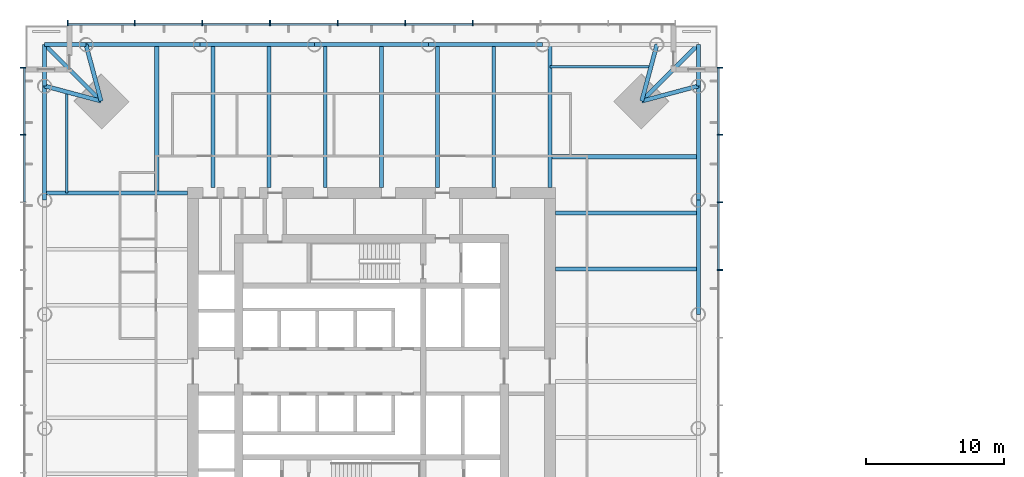
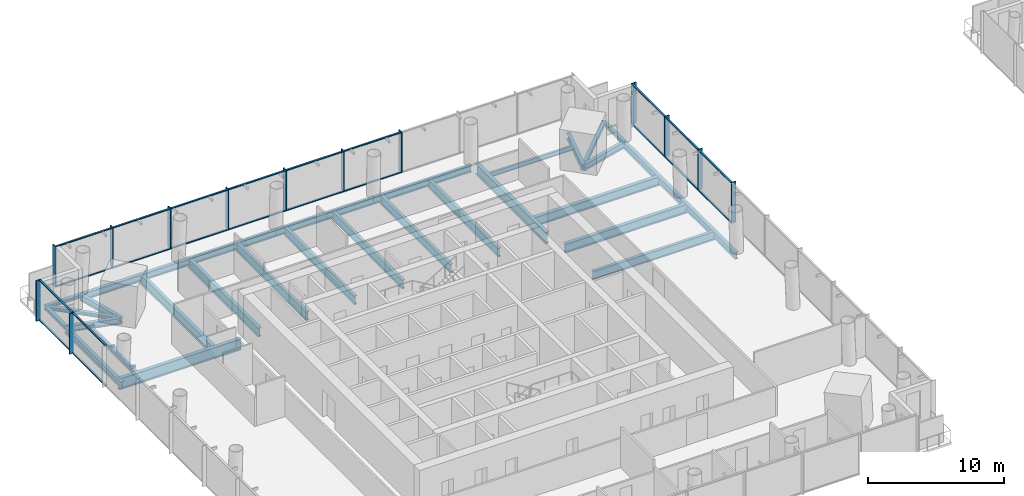
# One storey, part 4 of 21: 35 members, 30 beams, 3 elements without a shape of their own.
"""IFC4 building model written with IfcOpenShell, lengths in metres."""

from ifc_helpers import new_model, si_unit, direction, frame, origin, origin_2d, place, context, subcontext, project, spatial, rectangle, i_section, extrude, material, material_profile, profile_set, type_object, element, aggregate, save


model = new_model("IFC4")

# Units and contexts
model_context = context("Model", 3, precision=1e-05, world=origin(), true_north=direction((0.0, 1.0)))
body_context = subcontext(model_context, "Body", "Model", "MODEL_VIEW")
ifc_project = project(units=[si_unit("LENGTHUNIT", "METRE"), si_unit("AREAUNIT", "SQUARE_METRE"), si_unit("VOLUMEUNIT", "CUBIC_METRE"), si_unit("PLANEANGLEUNIT", "RADIAN"), si_unit("MASSUNIT", "GRAM", prefix="KILO")], contexts=[model_context])

# Site, building, storey
site_placement = place(None, origin())
site = spatial("IfcSite", under=ifc_project, at=site_placement, CompositionType="ELEMENT")
building_placement = place(site_placement, origin())
building = spatial("IfcBuilding", under=site, at=building_placement, Name="Ostroluk Exchange", CompositionType="ELEMENT")
storey_placement = place(building_placement, frame((0.0, 0.0, 32.39990234375)))
storey = spatial("IfcBuildingStorey", under=building, at=storey_placement, Name="L07", CompositionType="ELEMENT", Elevation=32.39990234375)

# Beams
ifc_material_1 = material(Name="Steel S355", Category="steel")
ifc_material_profile_1 = material_profile(ifc_material_1, i_section(OverallWidth=0.300048828125, OverallDepth=0.300048828125, WebThickness=0.010986328125, FlangeThickness=0.01904296875, FilletRadius=0.027099609375, at=origin_2d()), Name="HEB 300")
ifc_profile_set_1 = profile_set([ifc_material_profile_1], Name="Steel S355")
beam_type_1 = type_object("IfcBeamType", Name="Balcony beam HEB 300", PredefinedType="BEAM", material=ifc_profile_set_1)
beam_1_placement = place(storey_placement, frame((68.6357421875, 66.6357421875, -0.329833984375), z_axis=(0.0, 1.0, 0.0), x_axis=(-1.0, 0.0, 0.0)))
element("IfcBeam", 1, at=beam_1_placement, inside=storey, type_object=beam_type_1, Name="T1 east balcony beam a", PredefinedType="BEAM", context=body_context, shape_type="SweptSolid", body=[
    extrude(i_section(OverallWidth=0.300048828125, OverallDepth=0.300048828125, WebThickness=0.010986328125, FlangeThickness=0.01904296875, FilletRadius=0.027099609375, at=origin_2d()), origin(), (0.0, 0.0, 1.0), 3.0),
])
beam_2_placement = place(storey_placement, frame((64.53564453125, 65.53564453125, -0.329833984375), z_axis=(0.707106781187, 0.707106781187, 0.0), x_axis=(-0.707106781187, 0.707106781187, 0.0)))
element("IfcBeam", 2, at=beam_2_placement, inside=storey, type_object=beam_type_1, Name="T1 east balcony beam c", PredefinedType="BEAM", context=body_context, shape_type="SweptSolid", body=[
    extrude(i_section(OverallWidth=0.300048828125, OverallDepth=0.300048828125, WebThickness=0.010986328125, FlangeThickness=0.01904296875, FilletRadius=0.027099609375, at=origin_2d()), origin(), (0.0, 0.0, 1.0), 5.79833984375),
])
for number, where, z_axis, x_axis, name in (
    (3, (24.3642578125, 69.6357421875, -0.329833984375), (-1.0, 0.0, 0.0), (0.0, -1.0, 0.0), "T1 north balcony beam a"),
    (4, (21.3642578125, 66.6357421875, -0.329833984375), (0.0, 1.0, 0.0), (-1.0, 0.0, 0.0), "T1 north balcony beam b"),
):
    element("IfcBeam", number, at=place(storey_placement, frame(where, z_axis=z_axis, x_axis=x_axis)), inside=storey, type_object=beam_type_1, Name=name, PredefinedType="BEAM", context=body_context, shape_type="SweptSolid", body=[
        extrude(i_section(OverallWidth=0.300048828125, OverallDepth=0.300048828125, WebThickness=0.010986328125, FlangeThickness=0.01904296875, FilletRadius=0.027099609375, at=origin_2d()), origin(), (0.0, 0.0, 1.0), 3.0),
    ])
beam_3_placement = place(storey_placement, frame((25.46435546875, 65.53564453125, -0.329833984375), z_axis=(-0.707106781187, 0.707106781187, 0.0), x_axis=(-0.707106781187, -0.707106781187, 0.0)))
element("IfcBeam", 5, at=beam_3_placement, inside=storey, type_object=beam_type_1, Name="T1 north balcony beam c", PredefinedType="BEAM", context=body_context, shape_type="SweptSolid", body=[
    extrude(i_section(OverallWidth=0.300048828125, OverallDepth=0.300048828125, WebThickness=0.010986328125, FlangeThickness=0.01904296875, FilletRadius=0.027099609375, at=origin_2d()), origin(), (0.0, 0.0, 1.0), 5.79833984375),
])
ifc_material_2 = material(Name="Steel S355", Category="steel")
ifc_material_profile_2 = material_profile(ifc_material_2, i_section(OverallWidth=0.300048828125, OverallDepth=0.550048828125, WebThickness=0.014892578125, FlangeThickness=0.029052734375, FilletRadius=0.027099609375, at=origin_2d()), Name="HEB 550")
ifc_profile_set_2 = profile_set([ifc_material_profile_2], Name="Steel S355")
beam_type_2 = type_object("IfcBeamType", Name="Corner edge beam HEB 550", PredefinedType="SPANDREL", material=ifc_profile_set_2)
for number, where, z_axis, x_axis, name in (
    (6, (64.53564453125, 65.53564453125, -0.454833984375), (0.965838624319, 0.259144268261, 0.0), (-0.259144268261, 0.965838624319, 0.0), "T1 east corner edge beam a"),
    (7, (64.53564453125, 65.53564453125, -0.454833984375), (0.259144268261, 0.965838624319, 0.0), (-0.965838624319, 0.259144268261, 0.0), "T1 east corner edge beam b"),
    (8, (25.46435546875, 65.53564453125, -0.454833984375), (-0.259144268261, 0.965838624319, 0.0), (-0.965838624319, -0.259144268261, 0.0), "T1 north corner edge beam a"),
    (9, (25.46435546875, 65.53564453125, -0.454833984375), (-0.965838624319, 0.259144268261, 0.0), (-0.259144268261, -0.965838624319, 0.0), "T1 north corner edge beam b"),
):
    element("IfcBeam", number, at=place(storey_placement, frame(where, z_axis=z_axis, x_axis=x_axis)), inside=storey, type_object=beam_type_2, Name=name, PredefinedType="SPANDREL", context=body_context, shape_type="SweptSolid", body=[
        extrude(i_section(OverallWidth=0.300048828125, OverallDepth=0.550048828125, WebThickness=0.014892578125, FlangeThickness=0.029052734375, FilletRadius=0.027099609375, at=origin_2d()), origin(), (0.0, 0.0, 1.0), 4.2451171875),
    ])
ifc_material_3 = material(Name="Steel S355", Category="steel")
ifc_material_profile_3 = material_profile(ifc_material_3, i_section(OverallWidth=0.302978515625, OverallDepth=0.81396484375, WebThickness=0.02099609375, FlangeThickness=0.0400390625, FilletRadius=0.030029296875, at=origin_2d()), Name="HEM 800")
ifc_profile_set_3 = profile_set([ifc_material_profile_3], Name="Steel S355")
beam_type_3 = type_object("IfcBeamType", Name="Floor beam HEM 800", PredefinedType="BEAM", material=ifc_profile_set_3)
beam_4_placement = place(storey_placement, frame((58.300048828125, 57.45703125, -0.5869140625), z_axis=(1.0, 0.0, 0.0), x_axis=(0.0, 1.0, 0.0)))
element("IfcBeam", 10, at=beam_4_placement, inside=storey, type_object=beam_type_3, Name="T1 east floor beam 6", PredefinedType="BEAM", context=body_context, shape_type="SweptSolid", body=[
    extrude(i_section(OverallWidth=0.302978515625, OverallDepth=0.81396484375, WebThickness=0.02099609375, FlangeThickness=0.0400390625, FilletRadius=0.030029296875, at=origin_2d()), origin(), (0.0, 0.0, 1.0), 10.335693359375),
])
beam_5_placement = place(storey_placement, frame((57.89990234375, 61.5166015625, -0.5869140625), z_axis=(1.0, 0.0, 0.0), x_axis=(0.0, 1.0, 0.0)))
element("IfcBeam", 11, at=beam_5_placement, inside=storey, type_object=beam_type_3, Name="T1 east floor beam 7", PredefinedType="BEAM", context=body_context, shape_type="SweptSolid", body=[
    extrude(i_section(OverallWidth=0.302978515625, OverallDepth=0.81396484375, WebThickness=0.02099609375, FlangeThickness=0.0400390625, FilletRadius=0.030029296875, at=origin_2d()), origin(), (0.0, 0.0, 1.0), 10.73583984375),
])
beam_6_placement = place(storey_placement, frame((33.54296875, 59.300048828125, -0.5869140625), z_axis=(0.0, 1.0, 0.0), x_axis=(-1.0, 0.0, 0.0)))
element("IfcBeam", 12, at=beam_6_placement, inside=storey, type_object=beam_type_3, Name="T1 north floor beam 6", PredefinedType="BEAM", context=body_context, shape_type="SweptSolid", body=[
    extrude(i_section(OverallWidth=0.302978515625, OverallDepth=0.81396484375, WebThickness=0.02099609375, FlangeThickness=0.0400390625, FilletRadius=0.030029296875, at=origin_2d()), origin(), (0.0, 0.0, 1.0), 10.335693359375),
])
beam_7_placement = place(storey_placement, frame((29.4833984375, 58.89990234375, -0.5869140625), z_axis=(0.0, 1.0, 0.0), x_axis=(-1.0, 0.0, 0.0)))
element("IfcBeam", 13, at=beam_7_placement, inside=storey, type_object=beam_type_3, Name="T1 north floor beam 7", PredefinedType="BEAM", context=body_context, shape_type="SweptSolid", body=[
    extrude(i_section(OverallWidth=0.302978515625, OverallDepth=0.81396484375, WebThickness=0.02099609375, FlangeThickness=0.0400390625, FilletRadius=0.030029296875, at=origin_2d()), origin(), (0.0, 0.0, 1.0), 10.73583984375),
])
ifc_material_4 = material(Name="Steel S355", Category="steel")
ifc_material_profile_4 = material_profile(ifc_material_4, i_section(OverallWidth=0.179931640625, OverallDepth=0.39990234375, WebThickness=0.008544921875, FlangeThickness=0.013427734375, FilletRadius=0.02099609375, at=origin_2d()), Name="IPE 400")
ifc_profile_set_4 = profile_set([ifc_material_profile_4], Name="Steel S355")
beam_type_4 = type_object("IfcBeamType", Name="Floor beam IPE 400", PredefinedType="BEAM", material=ifc_profile_set_4)
for number, where, z_axis, x_axis, name in (
    (14, (57.89990234375, 68.03564453125, -0.3798828125), (1.0, 0.0, 0.0), (0.0, 1.0, 0.0), "T1 east floor beam 8"),
    (15, (22.96435546875, 58.89990234375, -0.3798828125), (0.0, 1.0, 0.0), (-1.0, 0.0, 0.0), "T1 north floor beam 8"),
):
    element("IfcBeam", number, at=place(storey_placement, frame(where, z_axis=z_axis, x_axis=x_axis)), inside=storey, type_object=beam_type_4, Name=name, PredefinedType="BEAM", context=body_context, shape_type="SweptSolid", body=[
        extrude(i_section(OverallWidth=0.179931640625, OverallDepth=0.39990234375, WebThickness=0.008544921875, FlangeThickness=0.013427734375, FilletRadius=0.02099609375, at=origin_2d()), origin(), (0.0, 0.0, 1.0), 7.306640625),
    ])
ifc_material_5 = material(Name="Steel S355", Category="steel")
ifc_material_profile_5 = material_profile(ifc_material_5, i_section(OverallWidth=0.26806640625, OverallDepth=0.77001953125, WebThickness=0.015625, FlangeThickness=0.025390625, FilletRadius=0.01708984375, at=origin_2d()), Name="IPE 750x196")
ifc_profile_set_5 = profile_set([ifc_material_profile_5], Name="Steel S355")
beam_type_5 = type_object("IfcBeamType", Name="Floor beam IPE 750x196", PredefinedType="BEAM", material=ifc_profile_set_5)
for number, where, z_axis, x_axis, name in (
    (16, (58.300048828125, 53.397705078125, -0.56494140625), (1.0, 0.0, 0.0), (0.0, 1.0, 0.0), "T1 east floor beam 5"),
    (17, (53.840576171875, 59.300048828125, -0.56494140625), (0.0, 1.0, 0.0), (-1.0, 0.0, 0.0), "T1 north floor beam 1"),
    (18, (49.781005859375, 59.300048828125, -0.56494140625), (0.0, 1.0, 0.0), (-1.0, 0.0, 0.0), "T1 north floor beam 2"),
    (19, (45.721435546875, 59.300048828125, -0.56494140625), (0.0, 1.0, 0.0), (-1.0, 0.0, 0.0), "T1 north floor beam 3"),
    (20, (41.661865234375, 59.300048828125, -0.56494140625), (0.0, 1.0, 0.0), (-1.0, 0.0, 0.0), "T1 north floor beam 4"),
    (21, (37.602294921875, 59.300048828125, -0.56494140625), (0.0, 1.0, 0.0), (-1.0, 0.0, 0.0), "T1 north floor beam 5"),
):
    element("IfcBeam", number, at=place(storey_placement, frame(where, z_axis=z_axis, x_axis=x_axis)), inside=storey, type_object=beam_type_5, Name=name, PredefinedType="BEAM", context=body_context, shape_type="SweptSolid", body=[
        extrude(i_section(OverallWidth=0.26806640625, OverallDepth=0.77001953125, WebThickness=0.015625, FlangeThickness=0.025390625, FilletRadius=0.01708984375, at=origin_2d()), origin(), (0.0, 0.0, 1.0), 10.335693359375),
    ])
ifc_material_6 = material(Name="Steel S355", Category="steel")
ifc_material_profile_6 = material_profile(ifc_material_6, i_section(OverallWidth=0.302001953125, OverallDepth=1.008056640625, WebThickness=0.02099609375, FlangeThickness=0.0400390625, FilletRadius=0.030029296875, at=origin_2d()), Name="HEM 1000")
ifc_profile_set_6 = profile_set([ifc_material_profile_6], Name="Steel S355")
beam_type_6 = type_object("IfcBeamType", Name="Girder HEM 1000", PredefinedType="BEAM", material=ifc_profile_set_6)
for number, where, z_axis, x_axis, name in (
    (22, (57.89990234375, 59.300048828125, -0.683837890625), (0.0, 1.0, 0.0), (-1.0, 0.0, 0.0), "T1 east girder"),
    (23, (31.699951171875, 58.89990234375, -0.683837890625), (-1.0, 0.0, 0.0), (0.0, -1.0, 0.0), "T1 north girder"),
):
    element("IfcBeam", number, at=place(storey_placement, frame(where, z_axis=z_axis, x_axis=x_axis)), inside=storey, type_object=beam_type_6, Name=name, PredefinedType="BEAM", context=body_context, shape_type="SweptSolid", body=[
        extrude(i_section(OverallWidth=0.302001953125, OverallDepth=1.008056640625, WebThickness=0.02099609375, FlangeThickness=0.0400390625, FilletRadius=0.030029296875, at=origin_2d()), origin(), (0.0, 0.0, 1.0), 10.335693359375),
    ])
ifc_material_7 = material(Name="Steel S355", Category="steel")
ifc_material_profile_7 = material_profile(ifc_material_7, i_section(OverallWidth=0.300048828125, OverallDepth=0.60009765625, WebThickness=0.015380859375, FlangeThickness=0.030029296875, FilletRadius=0.027099609375, at=origin_2d()), Name="HEB 600")
ifc_profile_set_7 = profile_set([ifc_material_profile_7], Name="Steel S355")
beam_type_7 = type_object("IfcBeamType", Name="Moment-connected edge beam HEB 600", PredefinedType="SPANDREL", material=ifc_profile_set_7)
beam_8_placement = place(storey_placement, frame((68.6357421875, 50.127197265625, -0.47998046875), z_axis=(0.0, 1.0, 0.0), x_axis=(-1.0, 0.0, 0.0)))
element("IfcBeam", 24, at=beam_8_placement, inside=storey, type_object=beam_type_7, Name="T1 east edge beam 4", PredefinedType="SPANDREL", context=body_context, shape_type="SweptSolid", body=[
    extrude(i_section(OverallWidth=0.300048828125, OverallDepth=0.60009765625, WebThickness=0.015380859375, FlangeThickness=0.030029296875, FilletRadius=0.027099609375, at=origin_2d()), origin(), (0.0, 0.0, 1.0), 8.254150390625),
])
beam_9_placement = place(storey_placement, frame((68.6357421875, 58.38134765625, -0.47998046875), z_axis=(0.0, 1.0, 0.0), x_axis=(-1.0, 0.0, 0.0)))
element("IfcBeam", 25, at=beam_9_placement, inside=storey, type_object=beam_type_7, Name="T1 east edge beam 5", PredefinedType="SPANDREL", context=body_context, shape_type="SweptSolid", body=[
    extrude(i_section(OverallWidth=0.300048828125, OverallDepth=0.60009765625, WebThickness=0.015380859375, FlangeThickness=0.030029296875, FilletRadius=0.027099609375, at=origin_2d()), origin(), (0.0, 0.0, 1.0), 8.25439453125),
])
beam_10_placement = place(storey_placement, frame((57.38134765625, 69.6357421875, -0.47998046875), z_axis=(-1.0, 0.0, 0.0), x_axis=(0.0, -1.0, 0.0)))
element("IfcBeam", 26, at=beam_10_placement, inside=storey, type_object=beam_type_7, Name="T1 north edge beam 2", PredefinedType="SPANDREL", context=body_context, shape_type="SweptSolid", body=[
    extrude(i_section(OverallWidth=0.300048828125, OverallDepth=0.60009765625, WebThickness=0.015380859375, FlangeThickness=0.030029296875, FilletRadius=0.027099609375, at=origin_2d()), origin(), (0.0, 0.0, 1.0), 8.254150390625),
])
beam_11_placement = place(storey_placement, frame((49.127197265625, 69.6357421875, -0.47998046875), z_axis=(-1.0, 0.0, 0.0), x_axis=(0.0, -1.0, 0.0)))
element("IfcBeam", 27, at=beam_11_placement, inside=storey, type_object=beam_type_7, Name="T1 north edge beam 3", PredefinedType="SPANDREL", context=body_context, shape_type="SweptSolid", body=[
    extrude(i_section(OverallWidth=0.300048828125, OverallDepth=0.60009765625, WebThickness=0.015380859375, FlangeThickness=0.030029296875, FilletRadius=0.027099609375, at=origin_2d()), origin(), (0.0, 0.0, 1.0), 8.25439453125),
])
beam_12_placement = place(storey_placement, frame((40.872802734375, 69.6357421875, -0.47998046875), z_axis=(-1.0, 0.0, 0.0), x_axis=(0.0, -1.0, 0.0)))
element("IfcBeam", 28, at=beam_12_placement, inside=storey, type_object=beam_type_7, Name="T1 north edge beam 4", PredefinedType="SPANDREL", context=body_context, shape_type="SweptSolid", body=[
    extrude(i_section(OverallWidth=0.300048828125, OverallDepth=0.60009765625, WebThickness=0.015380859375, FlangeThickness=0.030029296875, FilletRadius=0.027099609375, at=origin_2d()), origin(), (0.0, 0.0, 1.0), 8.254150390625),
])
for number, where, z_axis, x_axis, name in (
    (29, (32.61865234375, 69.6357421875, -0.47998046875), (-1.0, 0.0, 0.0), (0.0, -1.0, 0.0), "T1 north edge beam 5"),
    (30, (21.3642578125, 66.6357421875, -0.47998046875), (0.0, -1.0, 0.0), (1.0, 0.0, 0.0), "T1 west edge beam 1"),
):
    element("IfcBeam", number, at=place(storey_placement, frame(where, z_axis=z_axis, x_axis=x_axis)), inside=storey, type_object=beam_type_7, Name=name, PredefinedType="SPANDREL", context=body_context, shape_type="SweptSolid", body=[
        extrude(i_section(OverallWidth=0.300048828125, OverallDepth=0.60009765625, WebThickness=0.015380859375, FlangeThickness=0.030029296875, FilletRadius=0.027099609375, at=origin_2d()), origin(), (0.0, 0.0, 1.0), 8.25439453125),
    ])

# Curtain wall, members
ifc_material_8 = material(Name="Laminated clear glass", Category="glass")
curtain_wall_type = type_object("IfcCurtainWallType", Name="Office tower facade", PredefinedType="USERDEFINED", material=ifc_material_8)
curtain_wall_1_placement = place(storey_placement, origin())
curtain_wall_1 = element("IfcCurtainWall", 31, at=curtain_wall_1_placement, inside=storey, type_object=curtain_wall_type, Name="Office tower east facade L07", ObjectType="UNITISED CURTAIN WALL", PredefinedType="USERDEFINED")
ifc_material_9 = material(Name="Aluminium mullion", Category="aluminium")
ifc_material_profile_8 = material_profile(ifc_material_9, rectangle(XDim=0.14990234375, YDim=0.080078125, at=origin_2d()), Name="Sill transom 80 x 150")
ifc_profile_set_8 = profile_set([ifc_material_profile_8], Name="Aluminium mullion")
member_type_1 = type_object("IfcMemberType", Name="Sill transom 80 x 150", PredefinedType="USERDEFINED", material=ifc_profile_set_8)
member_1_placement = place(storey_placement, frame((70.074951171875, 53.373291015625, 0.0400390625), z_axis=(0.0, 1.0, 0.0), x_axis=(-1.0, 0.0, 0.0)))
member_1 = element("IfcMember", 32, at=member_1_placement, type_object=member_type_1, Name="CW-O1 transom 7.1", ObjectType="TRANSOM", PredefinedType="USERDEFINED", context=body_context, shape_type="SweptSolid", body=[
    extrude(rectangle(XDim=0.14990234375, YDim=0.080078125, at=origin_2d()), origin(), (0.0, 0.0, 1.0), 4.808837890625),
])
member_2_placement = place(storey_placement, frame((70.074951171875, 53.373291015625, 3.610107421875), z_axis=(0.0, 1.0, 0.0), x_axis=(-1.0, 0.0, 0.0)))
member_2 = element("IfcMember", 33, at=member_2_placement, type_object=member_type_1, Name="CW-O1 transom 7.2", ObjectType="TRANSOM", PredefinedType="USERDEFINED", context=body_context, shape_type="SweptSolid", body=[
    extrude(rectangle(XDim=0.14990234375, YDim=0.080078125, at=origin_2d()), origin(), (0.0, 0.0, 1.0), 4.808837890625),
])
member_3_placement = place(storey_placement, frame((70.074951171875, 58.26220703125, 0.0400390625), z_axis=(0.0, 1.0, 0.0), x_axis=(-1.0, 0.0, 0.0)))
member_3 = element("IfcMember", 34, at=member_3_placement, type_object=member_type_1, Name="CW-O1 transom 8.1", ObjectType="TRANSOM", PredefinedType="USERDEFINED", context=body_context, shape_type="SweptSolid", body=[
    extrude(rectangle(XDim=0.14990234375, YDim=0.080078125, at=origin_2d()), origin(), (0.0, 0.0, 1.0), 4.808837890625),
])
member_4_placement = place(storey_placement, frame((70.074951171875, 58.26220703125, 3.610107421875), z_axis=(0.0, 1.0, 0.0), x_axis=(-1.0, 0.0, 0.0)))
member_4 = element("IfcMember", 35, at=member_4_placement, type_object=member_type_1, Name="CW-O1 transom 8.2", ObjectType="TRANSOM", PredefinedType="USERDEFINED", context=body_context, shape_type="SweptSolid", body=[
    extrude(rectangle(XDim=0.14990234375, YDim=0.080078125, at=origin_2d()), origin(), (0.0, 0.0, 1.0), 4.808837890625),
])
member_5_placement = place(storey_placement, frame((70.074951171875, 63.151123046875, 0.0400390625), z_axis=(0.0, 1.0, 0.0), x_axis=(-1.0, 0.0, 0.0)))
member_5 = element("IfcMember", 36, at=member_5_placement, type_object=member_type_1, Name="CW-O1 transom 9.1", ObjectType="TRANSOM", PredefinedType="USERDEFINED", context=body_context, shape_type="SweptSolid", body=[
    extrude(rectangle(XDim=0.14990234375, YDim=0.080078125, at=origin_2d()), origin(), (0.0, 0.0, 1.0), 4.768798828125),
])
member_6_placement = place(storey_placement, frame((70.074951171875, 63.151123046875, 3.610107421875), z_axis=(0.0, 1.0, 0.0), x_axis=(-1.0, 0.0, 0.0)))
member_6 = element("IfcMember", 37, at=member_6_placement, type_object=member_type_1, Name="CW-O1 transom 9.2", ObjectType="TRANSOM", PredefinedType="USERDEFINED", context=body_context, shape_type="SweptSolid", body=[
    extrude(rectangle(XDim=0.14990234375, YDim=0.080078125, at=origin_2d()), origin(), (0.0, 0.0, 1.0), 4.768798828125),
])

curtain_wall_2_placement = place(storey_placement, origin())
curtain_wall_2 = element("IfcCurtainWall", 38, at=curtain_wall_2_placement, inside=storey, type_object=curtain_wall_type, Name="Office tower north facade L07", ObjectType="UNITISED CURTAIN WALL", PredefinedType="USERDEFINED")
member_7_placement = place(storey_placement, frame((52.293212890625, 71.074951171875, 0.0400390625), z_axis=(-1.0, 0.0, 0.0), x_axis=(0.0, -1.0, 0.0)))
member_7 = element("IfcMember", 39, at=member_7_placement, type_object=member_type_1, Name="CW-O1 transom 4.1", ObjectType="TRANSOM", PredefinedType="USERDEFINED", context=body_context, shape_type="SweptSolid", body=[
    extrude(rectangle(XDim=0.14990234375, YDim=0.080078125, at=origin_2d()), origin(), (0.0, 0.0, 1.0), 4.808837890625),
])
member_8_placement = place(storey_placement, frame((52.293212890625, 71.074951171875, 3.610107421875), z_axis=(-1.0, 0.0, 0.0), x_axis=(0.0, -1.0, 0.0)))
member_8 = element("IfcMember", 40, at=member_8_placement, type_object=member_type_1, Name="CW-O1 transom 4.2", ObjectType="TRANSOM", PredefinedType="USERDEFINED", context=body_context, shape_type="SweptSolid", body=[
    extrude(rectangle(XDim=0.14990234375, YDim=0.080078125, at=origin_2d()), origin(), (0.0, 0.0, 1.0), 4.808837890625),
])
member_9_placement = place(storey_placement, frame((47.404541015625, 71.074951171875, 0.0400390625), z_axis=(-1.0, 0.0, 0.0), x_axis=(0.0, -1.0, 0.0)))
member_9 = element("IfcMember", 41, at=member_9_placement, type_object=member_type_1, Name="CW-O1 transom 5.1", ObjectType="TRANSOM", PredefinedType="USERDEFINED", context=body_context, shape_type="SweptSolid", body=[
    extrude(rectangle(XDim=0.14990234375, YDim=0.080078125, at=origin_2d()), origin(), (0.0, 0.0, 1.0), 4.80908203125),
])
member_10_placement = place(storey_placement, frame((47.404541015625, 71.074951171875, 3.610107421875), z_axis=(-1.0, 0.0, 0.0), x_axis=(0.0, -1.0, 0.0)))
member_10 = element("IfcMember", 42, at=member_10_placement, type_object=member_type_1, Name="CW-O1 transom 5.2", ObjectType="TRANSOM", PredefinedType="USERDEFINED", context=body_context, shape_type="SweptSolid", body=[
    extrude(rectangle(XDim=0.14990234375, YDim=0.080078125, at=origin_2d()), origin(), (0.0, 0.0, 1.0), 4.80908203125),
])
member_11_placement = place(storey_placement, frame((42.515625, 71.074951171875, 0.0400390625), z_axis=(-1.0, 0.0, 0.0), x_axis=(0.0, -1.0, 0.0)))
member_11 = element("IfcMember", 43, at=member_11_placement, type_object=member_type_1, Name="CW-O1 transom 6.1", ObjectType="TRANSOM", PredefinedType="USERDEFINED", context=body_context, shape_type="SweptSolid", body=[
    extrude(rectangle(XDim=0.14990234375, YDim=0.080078125, at=origin_2d()), origin(), (0.0, 0.0, 1.0), 4.808837890625),
])
member_12_placement = place(storey_placement, frame((42.515625, 71.074951171875, 3.610107421875), z_axis=(-1.0, 0.0, 0.0), x_axis=(0.0, -1.0, 0.0)))
member_12 = element("IfcMember", 44, at=member_12_placement, type_object=member_type_1, Name="CW-O1 transom 6.2", ObjectType="TRANSOM", PredefinedType="USERDEFINED", context=body_context, shape_type="SweptSolid", body=[
    extrude(rectangle(XDim=0.14990234375, YDim=0.080078125, at=origin_2d()), origin(), (0.0, 0.0, 1.0), 4.808837890625),
])
member_13_placement = place(storey_placement, frame((37.626708984375, 71.074951171875, 0.0400390625), z_axis=(-1.0, 0.0, 0.0), x_axis=(0.0, -1.0, 0.0)))
member_13 = element("IfcMember", 45, at=member_13_placement, type_object=member_type_1, Name="CW-O1 transom 7.1", ObjectType="TRANSOM", PredefinedType="USERDEFINED", context=body_context, shape_type="SweptSolid", body=[
    extrude(rectangle(XDim=0.14990234375, YDim=0.080078125, at=origin_2d()), origin(), (0.0, 0.0, 1.0), 4.808837890625),
])
member_14_placement = place(storey_placement, frame((37.626708984375, 71.074951171875, 3.610107421875), z_axis=(-1.0, 0.0, 0.0), x_axis=(0.0, -1.0, 0.0)))
member_14 = element("IfcMember", 46, at=member_14_placement, type_object=member_type_1, Name="CW-O1 transom 7.2", ObjectType="TRANSOM", PredefinedType="USERDEFINED", context=body_context, shape_type="SweptSolid", body=[
    extrude(rectangle(XDim=0.14990234375, YDim=0.080078125, at=origin_2d()), origin(), (0.0, 0.0, 1.0), 4.808837890625),
])
member_15_placement = place(storey_placement, frame((32.73779296875, 71.074951171875, 0.0400390625), z_axis=(-1.0, 0.0, 0.0), x_axis=(0.0, -1.0, 0.0)))
member_15 = element("IfcMember", 47, at=member_15_placement, type_object=member_type_1, Name="CW-O1 transom 8.1", ObjectType="TRANSOM", PredefinedType="USERDEFINED", context=body_context, shape_type="SweptSolid", body=[
    extrude(rectangle(XDim=0.14990234375, YDim=0.080078125, at=origin_2d()), origin(), (0.0, 0.0, 1.0), 4.808837890625),
])
member_16_placement = place(storey_placement, frame((32.73779296875, 71.074951171875, 3.610107421875), z_axis=(-1.0, 0.0, 0.0), x_axis=(0.0, -1.0, 0.0)))
member_16 = element("IfcMember", 48, at=member_16_placement, type_object=member_type_1, Name="CW-O1 transom 8.2", ObjectType="TRANSOM", PredefinedType="USERDEFINED", context=body_context, shape_type="SweptSolid", body=[
    extrude(rectangle(XDim=0.14990234375, YDim=0.080078125, at=origin_2d()), origin(), (0.0, 0.0, 1.0), 4.808837890625),
])
member_17_placement = place(storey_placement, frame((27.848876953125, 71.074951171875, 0.0400390625), z_axis=(-1.0, 0.0, 0.0), x_axis=(0.0, -1.0, 0.0)))
member_17 = element("IfcMember", 49, at=member_17_placement, type_object=member_type_1, Name="CW-O1 transom 9.1", ObjectType="TRANSOM", PredefinedType="USERDEFINED", context=body_context, shape_type="SweptSolid", body=[
    extrude(rectangle(XDim=0.14990234375, YDim=0.080078125, at=origin_2d()), origin(), (0.0, 0.0, 1.0), 4.768798828125),
])
member_18_placement = place(storey_placement, frame((27.848876953125, 71.074951171875, 3.610107421875), z_axis=(-1.0, 0.0, 0.0), x_axis=(0.0, -1.0, 0.0)))
member_18 = element("IfcMember", 50, at=member_18_placement, type_object=member_type_1, Name="CW-O1 transom 9.2", ObjectType="TRANSOM", PredefinedType="USERDEFINED", context=body_context, shape_type="SweptSolid", body=[
    extrude(rectangle(XDim=0.14990234375, YDim=0.080078125, at=origin_2d()), origin(), (0.0, 0.0, 1.0), 4.768798828125),
])

curtain_wall_3_placement = place(storey_placement, origin())
curtain_wall_3 = element("IfcCurtainWall", 51, at=curtain_wall_3_placement, inside=storey, type_object=curtain_wall_type, Name="Office tower west facade L07", ObjectType="UNITISED CURTAIN WALL", PredefinedType="USERDEFINED")
member_19_placement = place(storey_placement, frame((19.925048828125, 67.919921875, 0.0400390625), z_axis=(0.0, -1.0, 0.0), x_axis=(1.0, 0.0, 0.0)))
member_19 = element("IfcMember", 52, at=member_19_placement, type_object=member_type_1, Name="CW-O1 transom 1.1", ObjectType="TRANSOM", PredefinedType="USERDEFINED", context=body_context, shape_type="SweptSolid", body=[
    extrude(rectangle(XDim=0.14990234375, YDim=0.080078125, at=origin_2d()), origin(), (0.0, 0.0, 1.0), 4.768798828125),
])
member_20_placement = place(storey_placement, frame((19.925048828125, 67.919921875, 3.610107421875), z_axis=(0.0, -1.0, 0.0), x_axis=(1.0, 0.0, 0.0)))
member_20 = element("IfcMember", 53, at=member_20_placement, type_object=member_type_1, Name="CW-O1 transom 1.2", ObjectType="TRANSOM", PredefinedType="USERDEFINED", context=body_context, shape_type="SweptSolid", body=[
    extrude(rectangle(XDim=0.14990234375, YDim=0.080078125, at=origin_2d()), origin(), (0.0, 0.0, 1.0), 4.768798828125),
])
member_21_placement = place(storey_placement, frame((19.925048828125, 63.071044921875, 0.0400390625), z_axis=(0.0, -1.0, 0.0), x_axis=(1.0, 0.0, 0.0)))
member_21 = element("IfcMember", 54, at=member_21_placement, type_object=member_type_1, Name="CW-O1 transom 2.1", ObjectType="TRANSOM", PredefinedType="USERDEFINED", context=body_context, shape_type="SweptSolid", body=[
    extrude(rectangle(XDim=0.14990234375, YDim=0.080078125, at=origin_2d()), origin(), (0.0, 0.0, 1.0), 4.808837890625),
])
member_22_placement = place(storey_placement, frame((19.925048828125, 63.071044921875, 3.610107421875), z_axis=(0.0, -1.0, 0.0), x_axis=(1.0, 0.0, 0.0)))
member_22 = element("IfcMember", 55, at=member_22_placement, type_object=member_type_1, Name="CW-O1 transom 2.2", ObjectType="TRANSOM", PredefinedType="USERDEFINED", context=body_context, shape_type="SweptSolid", body=[
    extrude(rectangle(XDim=0.14990234375, YDim=0.080078125, at=origin_2d()), origin(), (0.0, 0.0, 1.0), 4.808837890625),
])

# Member
ifc_material_10 = material(Name="Aluminium mullion with limestone facing", Category="masonry")
ifc_material_profile_9 = material_profile(ifc_material_10, rectangle(XDim=0.39990234375, YDim=0.080078125, at=origin_2d()), Name="Tracery mullion 80 x 400")
ifc_profile_set_9 = profile_set([ifc_material_profile_9], Name="Aluminium mullion with limestone facing")
member_type_2 = type_object("IfcMemberType", Name="Tracery mullion 80 x 400", PredefinedType="MULLION", material=ifc_profile_set_9)
member_23_placement = place(storey_placement, frame((70.199951171875, 53.333251953125, 0.0), z_axis=(0.0, 0.0, 1.0), x_axis=(-1.0, 0.0, 0.0)))
member_23 = element("IfcMember", 56, at=member_23_placement, type_object=member_type_2, Name="CW-O1 mullion 7", PredefinedType="MULLION", context=body_context, shape_type="SweptSolid", body=[
    extrude(rectangle(XDim=0.39990234375, YDim=0.080078125, at=origin_2d()), origin(), (0.0, 0.0, 1.0), 3.650146484375),
])

member_24_placement = place(storey_placement, frame((70.199951171875, 58.22216796875, 0.0), z_axis=(0.0, 0.0, 1.0), x_axis=(-1.0, 0.0, 0.0)))
member_24 = element("IfcMember", 57, at=member_24_placement, type_object=member_type_2, Name="CW-O1 mullion 8", PredefinedType="MULLION", context=body_context, shape_type="SweptSolid", body=[
    extrude(rectangle(XDim=0.39990234375, YDim=0.080078125, at=origin_2d()), origin(), (0.0, 0.0, 1.0), 3.650146484375),
])

member_25_placement = place(storey_placement, frame((70.199951171875, 63.111083984375, 0.0), z_axis=(0.0, 0.0, 1.0), x_axis=(-1.0, 0.0, 0.0)))
member_25 = element("IfcMember", 58, at=member_25_placement, type_object=member_type_2, Name="CW-O1 mullion 9", PredefinedType="MULLION", context=body_context, shape_type="SweptSolid", body=[
    extrude(rectangle(XDim=0.39990234375, YDim=0.080078125, at=origin_2d()), origin(), (0.0, 0.0, 1.0), 3.650146484375),
])

member_26_placement = place(storey_placement, frame((70.199951171875, 67.9599609375, 0.0), z_axis=(0.0, 0.0, 1.0), x_axis=(-1.0, 0.0, 0.0)))
member_26 = element("IfcMember", 59, at=member_26_placement, type_object=member_type_2, Name="CW-O1 mullion 10", PredefinedType="MULLION", context=body_context, shape_type="SweptSolid", body=[
    extrude(rectangle(XDim=0.39990234375, YDim=0.080078125, at=origin_2d()), origin(), (0.0, 0.0, 1.0), 3.650146484375),
])

aggregate(curtain_wall_1, [member_23, member_24, member_25, member_26, member_1, member_2, member_3, member_4, member_5, member_6])

member_27_placement = place(storey_placement, frame((52.333251953125, 71.199951171875, 0.0), z_axis=(0.0, 0.0, 1.0), x_axis=(0.0, -1.0, 0.0)))
member_27 = element("IfcMember", 60, at=member_27_placement, type_object=member_type_2, Name="CW-O1 mullion 4", PredefinedType="MULLION", context=body_context, shape_type="SweptSolid", body=[
    extrude(rectangle(XDim=0.39990234375, YDim=0.080078125, at=origin_2d()), origin(), (0.0, 0.0, 1.0), 3.650146484375),
])

member_28_placement = place(storey_placement, frame((47.4443359375, 71.199951171875, 0.0), z_axis=(0.0, 0.0, 1.0), x_axis=(0.0, -1.0, 0.0)))
member_28 = element("IfcMember", 61, at=member_28_placement, type_object=member_type_2, Name="CW-O1 mullion 5", PredefinedType="MULLION", context=body_context, shape_type="SweptSolid", body=[
    extrude(rectangle(XDim=0.39990234375, YDim=0.080078125, at=origin_2d()), origin(), (0.0, 0.0, 1.0), 3.650146484375),
])

member_29_placement = place(storey_placement, frame((42.5556640625, 71.199951171875, 0.0), z_axis=(0.0, 0.0, 1.0), x_axis=(0.0, -1.0, 0.0)))
member_29 = element("IfcMember", 62, at=member_29_placement, type_object=member_type_2, Name="CW-O1 mullion 6", PredefinedType="MULLION", context=body_context, shape_type="SweptSolid", body=[
    extrude(rectangle(XDim=0.39990234375, YDim=0.080078125, at=origin_2d()), origin(), (0.0, 0.0, 1.0), 3.650146484375),
])

member_30_placement = place(storey_placement, frame((37.666748046875, 71.199951171875, 0.0), z_axis=(0.0, 0.0, 1.0), x_axis=(0.0, -1.0, 0.0)))
member_30 = element("IfcMember", 63, at=member_30_placement, type_object=member_type_2, Name="CW-O1 mullion 7", PredefinedType="MULLION", context=body_context, shape_type="SweptSolid", body=[
    extrude(rectangle(XDim=0.39990234375, YDim=0.080078125, at=origin_2d()), origin(), (0.0, 0.0, 1.0), 3.650146484375),
])

member_31_placement = place(storey_placement, frame((32.77783203125, 71.199951171875, 0.0), z_axis=(0.0, 0.0, 1.0), x_axis=(0.0, -1.0, 0.0)))
member_31 = element("IfcMember", 64, at=member_31_placement, type_object=member_type_2, Name="CW-O1 mullion 8", PredefinedType="MULLION", context=body_context, shape_type="SweptSolid", body=[
    extrude(rectangle(XDim=0.39990234375, YDim=0.080078125, at=origin_2d()), origin(), (0.0, 0.0, 1.0), 3.650146484375),
])

member_32_placement = place(storey_placement, frame((27.888916015625, 71.199951171875, 0.0), z_axis=(0.0, 0.0, 1.0), x_axis=(0.0, -1.0, 0.0)))
member_32 = element("IfcMember", 65, at=member_32_placement, type_object=member_type_2, Name="CW-O1 mullion 9", PredefinedType="MULLION", context=body_context, shape_type="SweptSolid", body=[
    extrude(rectangle(XDim=0.39990234375, YDim=0.080078125, at=origin_2d()), origin(), (0.0, 0.0, 1.0), 3.650146484375),
])

member_33_placement = place(storey_placement, frame((23.0400390625, 71.199951171875, 0.0), z_axis=(0.0, 0.0, 1.0), x_axis=(0.0, -1.0, 0.0)))
member_33 = element("IfcMember", 66, at=member_33_placement, type_object=member_type_2, Name="CW-O1 mullion 10", PredefinedType="MULLION", context=body_context, shape_type="SweptSolid", body=[
    extrude(rectangle(XDim=0.39990234375, YDim=0.080078125, at=origin_2d()), origin(), (0.0, 0.0, 1.0), 3.650146484375),
])

aggregate(curtain_wall_2, [member_27, member_28, member_29, member_30, member_31, member_32, member_33, member_7, member_8, member_9, member_10, member_11, member_12, member_13, member_14, member_15, member_16, member_17, member_18])

member_34_placement = place(storey_placement, frame((19.800048828125, 67.9599609375, 0.0), z_axis=(0.0, 0.0, 1.0), x_axis=(1.0, 0.0, 0.0)))
member_34 = element("IfcMember", 67, at=member_34_placement, type_object=member_type_2, Name="CW-O1 mullion 1", PredefinedType="MULLION", context=body_context, shape_type="SweptSolid", body=[
    extrude(rectangle(XDim=0.39990234375, YDim=0.080078125, at=origin_2d()), origin(), (0.0, 0.0, 1.0), 3.650146484375),
])

member_35_placement = place(storey_placement, frame((19.800048828125, 63.111083984375, 0.0), z_axis=(0.0, 0.0, 1.0), x_axis=(1.0, 0.0, 0.0)))
member_35 = element("IfcMember", 68, at=member_35_placement, type_object=member_type_2, Name="CW-O1 mullion 2", PredefinedType="MULLION", context=body_context, shape_type="SweptSolid", body=[
    extrude(rectangle(XDim=0.39990234375, YDim=0.080078125, at=origin_2d()), origin(), (0.0, 0.0, 1.0), 3.650146484375),
])

aggregate(curtain_wall_3, [member_34, member_35, member_19, member_20, member_21, member_22])

save(model, "model.ifc")
